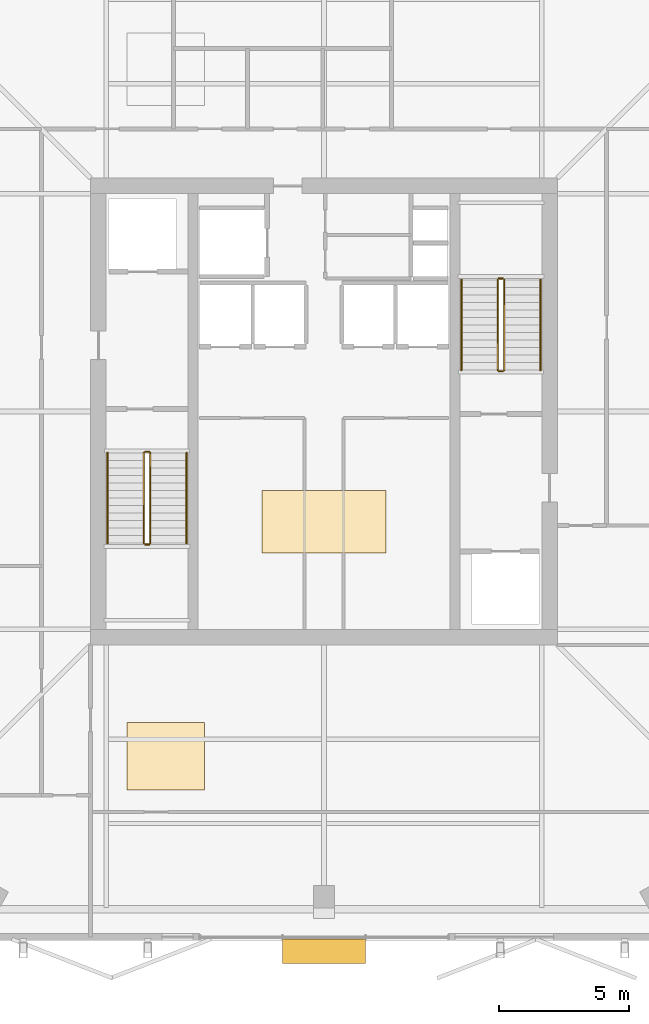
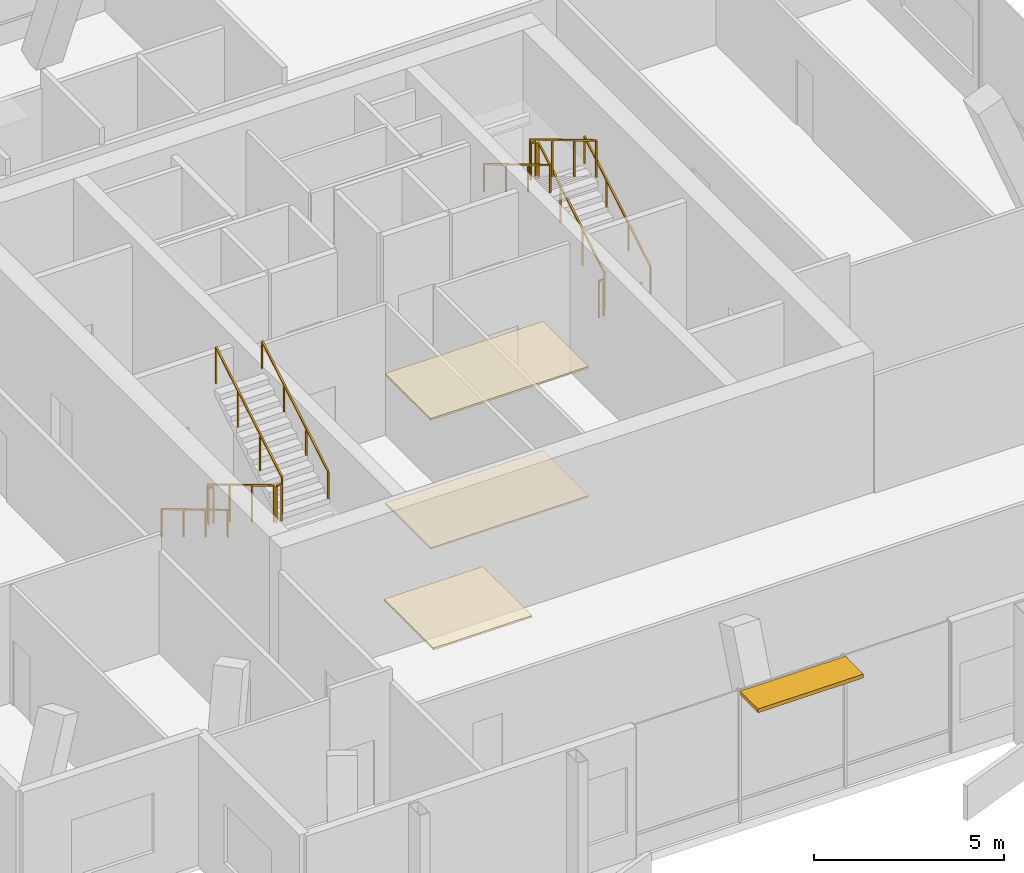
# One storey, part 15 of 16: 12 railings, 3 coverings, 1 shading device.
"""IFC4 building model written with IfcOpenShell, lengths in metres."""

from ifc_helpers import new_model, si_unit, direction, frame, origin, origin_2d, place, context, subcontext, project, spatial, polyline, rectangle, outline, extrude, material, layer, layer_set, type_object, element, save


model = new_model("IFC4")

# Units and contexts
model_context = context("Model", 3, precision=1e-05, world=origin(), true_north=direction((0.0, 1.0)))
body_context = subcontext(model_context, "Body", "Model", "MODEL_VIEW")
ifc_project = project(units=[si_unit("LENGTHUNIT", "METRE"), si_unit("AREAUNIT", "SQUARE_METRE"), si_unit("VOLUMEUNIT", "CUBIC_METRE"), si_unit("PLANEANGLEUNIT", "RADIAN"), si_unit("MASSUNIT", "GRAM", prefix="KILO")], contexts=[model_context])

# Site, building, storey
site_placement = place(None, origin())
site = spatial("IfcSite", under=ifc_project, at=site_placement, CompositionType="ELEMENT")
building_placement = place(site_placement, origin())
building = spatial("IfcBuilding", under=site, at=building_placement, Name="Belovzor Exchange Tower", CompositionType="ELEMENT")
storey_placement = place(building_placement, frame((0.0, 0.0, 364.5)))
storey = spatial("IfcBuildingStorey", under=building, at=storey_placement, Name="L91", CompositionType="ELEMENT", Elevation=364.5)

# Railings
ifc_material_1 = material(Name="Stainless Steel Grade 304", Category="steel")
railing_type_1 = type_object("IfcRailingType", Name="Brushed Stainless Steel Stair Handrail 900", PredefinedType="HANDRAIL", material=ifc_material_1)
railing_1_placement = place(storey_placement, frame((20.449951171875, 27.199951171875, 0.173095703125)))
element("IfcRailing", 1, at=railing_1_placement, inside=storey, type_object=railing_type_1, Name="L91 ST-1 stair handrail 1", PredefinedType="HANDRAIL", context=body_context, shape_type="SweptSolid", body=[
    extrude(rectangle(XDim=0.048095703125, YDim=0.048095703125, at=origin_2d()), frame((0.0, 0.0, 0.8759765625), z_axis=(0.0, -0.858697190188, 0.512483302717), x_axis=(1.0, 0.0, 0.0)), (0.0, 0.0, 1.0), 4.052734375),
    extrude(rectangle(XDim=0.0419921875, YDim=0.0419921875, at=origin_2d()), origin(), (0.0, 0.0, 1.0), 0.851806640625),
    extrude(rectangle(XDim=0.0419921875, YDim=0.0419921875, at=origin_2d()), frame((0.0, -1.159912109375, 0.6923828125)), (0.0, 0.0, 1.0), 0.851806640625),
    extrude(rectangle(XDim=0.0419921875, YDim=0.0419921875, at=origin_2d()), frame((0.0, -2.320068359375, 1.384521484375)), (0.0, 0.0, 1.0), 0.851806640625),
    extrude(rectangle(XDim=0.0419921875, YDim=0.0419921875, at=origin_2d()), frame((0.0, -3.47998046875, 2.076904296875)), (0.0, 0.0, 1.0), 0.851806640625),
])
for number, where, name in (
    (2, (23.5, 23.719970703125, 2.423095703125), "L91 ST-1 stair handrail 2"),
    (3, (37.14990234375, 30.39990234375, 0.173095703125), "L91 ST-2 stair handrail 1"),
):
    element("IfcRailing", number, at=place(storey_placement, frame(where)), inside=storey, type_object=railing_type_1, Name=name, PredefinedType="HANDRAIL", context=body_context, shape_type="SweptSolid", body=[
        extrude(rectangle(XDim=0.048095703125, YDim=0.048095703125, at=origin_2d()), frame((0.0, 0.0, 0.8759765625), z_axis=(0.0, 0.858697190188, 0.512483302717), x_axis=(-1.0, 0.0, 0.0)), (0.0, 0.0, 1.0), 4.052734375),
        extrude(rectangle(XDim=0.0419921875, YDim=0.0419921875, at=origin_2d()), origin(), (0.0, 0.0, 1.0), 0.851806640625),
        extrude(rectangle(XDim=0.0419921875, YDim=0.0419921875, at=origin_2d()), frame((0.0, 1.159912109375, 0.6923828125)), (0.0, 0.0, 1.0), 0.851806640625),
        extrude(rectangle(XDim=0.0419921875, YDim=0.0419921875, at=origin_2d()), frame((0.0, 2.320068359375, 1.384521484375)), (0.0, 0.0, 1.0), 0.851806640625),
        extrude(rectangle(XDim=0.0419921875, YDim=0.0419921875, at=origin_2d()), frame((0.0, 3.47998046875, 2.076904296875)), (0.0, 0.0, 1.0), 0.851806640625),
    ])
railing_2_placement = place(storey_placement, frame((34.10009765625, 33.8798828125, 2.423095703125)))
element("IfcRailing", 4, at=railing_2_placement, inside=storey, type_object=railing_type_1, Name="L91 ST-2 stair handrail 2", PredefinedType="HANDRAIL", context=body_context, shape_type="SweptSolid", body=[
    extrude(rectangle(XDim=0.048095703125, YDim=0.048095703125, at=origin_2d()), frame((0.0, 0.0, 0.8759765625), z_axis=(0.0, -0.858697190188, 0.512483302717), x_axis=(1.0, 0.0, 0.0)), (0.0, 0.0, 1.0), 4.052734375),
    extrude(rectangle(XDim=0.0419921875, YDim=0.0419921875, at=origin_2d()), origin(), (0.0, 0.0, 1.0), 0.851806640625),
    extrude(rectangle(XDim=0.0419921875, YDim=0.0419921875, at=origin_2d()), frame((0.0, -1.159912109375, 0.6923828125)), (0.0, 0.0, 1.0), 0.851806640625),
    extrude(rectangle(XDim=0.0419921875, YDim=0.0419921875, at=origin_2d()), frame((0.0, -2.320068359375, 1.384521484375)), (0.0, 0.0, 1.0), 0.851806640625),
    extrude(rectangle(XDim=0.0419921875, YDim=0.0419921875, at=origin_2d()), frame((0.0, -3.47998046875, 2.076904296875)), (0.0, 0.0, 1.0), 0.851806640625),
])
ifc_material_2 = material(Name="Steel S355", Category="steel")
railing_type_2 = type_object("IfcRailingType", Name="Painted Steel Stairwell Guardrail 1200", PredefinedType="GUARDRAIL", material=ifc_material_2)
railing_3_placement = place(storey_placement, frame((21.85009765625, 27.199951171875, 0.173095703125)))
element("IfcRailing", 5, at=railing_3_placement, inside=storey, type_object=railing_type_2, Name="L91 ST-1 stair guard 1", PredefinedType="GUARDRAIL", context=body_context, shape_type="SweptSolid", body=[
    extrude(rectangle(XDim=0.048095703125, YDim=0.048095703125, at=origin_2d()), frame((0.0, 0.0, 1.17578125), z_axis=(0.0, -0.858697190188, 0.512483302717), x_axis=(1.0, 0.0, 0.0)), (0.0, 0.0, 1.0), 4.052734375),
    extrude(rectangle(XDim=0.0419921875, YDim=0.0419921875, at=origin_2d()), origin(), (0.0, 0.0, 1.0), 1.15185546875),
    extrude(rectangle(XDim=0.0419921875, YDim=0.0419921875, at=origin_2d()), frame((0.0, -1.159912109375, 0.6923828125)), (0.0, 0.0, 1.0), 1.15185546875),
    extrude(rectangle(XDim=0.0419921875, YDim=0.0419921875, at=origin_2d()), frame((0.0, -2.320068359375, 1.384521484375)), (0.0, 0.0, 1.0), 1.15185546875),
    extrude(rectangle(XDim=0.0419921875, YDim=0.0419921875, at=origin_2d()), frame((0.0, -3.47998046875, 2.076904296875)), (0.0, 0.0, 1.0), 1.15185546875),
])
railing_4_placement = place(storey_placement, frame((21.89990234375, 23.669921875, 2.25)))
element("IfcRailing", 6, at=railing_4_placement, inside=storey, type_object=railing_type_2, Name="L91 ST-1 stair guard 2", PredefinedType="GUARDRAIL", context=body_context, shape_type="SweptSolid", body=[
    extrude(rectangle(XDim=0.048095703125, YDim=0.048095703125, at=origin_2d()), frame((0.0, 0.0, 1.17578125), z_axis=(1.0, 0.0, 0.0), x_axis=(0.0, 1.0, 0.0)), (0.0, 0.0, 1.0), 0.150146484375),
    extrude(rectangle(XDim=0.0419921875, YDim=0.0419921875, at=origin_2d()), origin(), (0.0, 0.0, 1.0), 1.15185546875),
    extrude(rectangle(XDim=0.0419921875, YDim=0.0419921875, at=origin_2d()), frame((0.150146484375, 0.0, 0.0)), (0.0, 0.0, 1.0), 1.15185546875),
])
railing_5_placement = place(storey_placement, frame((22.10009765625, 23.719970703125, 2.423095703125)))
element("IfcRailing", 7, at=railing_5_placement, inside=storey, type_object=railing_type_2, Name="L91 ST-1 stair guard 3", PredefinedType="GUARDRAIL", context=body_context, shape_type="SweptSolid", body=[
    extrude(rectangle(XDim=0.048095703125, YDim=0.048095703125, at=origin_2d()), frame((0.0, 0.0, 1.17578125), z_axis=(0.0, 0.858697190188, 0.512483302717), x_axis=(-1.0, 0.0, 0.0)), (0.0, 0.0, 1.0), 4.052734375),
    extrude(rectangle(XDim=0.0419921875, YDim=0.0419921875, at=origin_2d()), origin(), (0.0, 0.0, 1.0), 1.15185546875),
    extrude(rectangle(XDim=0.0419921875, YDim=0.0419921875, at=origin_2d()), frame((0.0, 1.159912109375, 0.6923828125)), (0.0, 0.0, 1.0), 1.15185546875),
    extrude(rectangle(XDim=0.0419921875, YDim=0.0419921875, at=origin_2d()), frame((0.0, 2.320068359375, 1.384521484375)), (0.0, 0.0, 1.0), 1.15185546875),
    extrude(rectangle(XDim=0.0419921875, YDim=0.0419921875, at=origin_2d()), frame((0.0, 3.47998046875, 2.076904296875)), (0.0, 0.0, 1.0), 1.15185546875),
])
railing_6_placement = place(storey_placement, frame((21.89990234375, 27.25, 0.0)))
element("IfcRailing", 8, at=railing_6_placement, inside=storey, type_object=railing_type_2, Name="L91 ST-1 stair guard 4", PredefinedType="GUARDRAIL", context=body_context, shape_type="SweptSolid", body=[
    extrude(rectangle(XDim=0.048095703125, YDim=0.048095703125, at=origin_2d()), frame((0.0, 0.0, 1.17578125), z_axis=(1.0, 0.0, 0.0), x_axis=(0.0, 1.0, 0.0)), (0.0, 0.0, 1.0), 0.150146484375),
    extrude(rectangle(XDim=0.0419921875, YDim=0.0419921875, at=origin_2d()), origin(), (0.0, 0.0, 1.0), 1.15185546875),
    extrude(rectangle(XDim=0.0419921875, YDim=0.0419921875, at=origin_2d()), frame((0.150146484375, 0.0, 0.0)), (0.0, 0.0, 1.0), 1.15185546875),
])
railing_7_placement = place(storey_placement, frame((35.75, 30.39990234375, 0.173095703125)))
element("IfcRailing", 9, at=railing_7_placement, inside=storey, type_object=railing_type_2, Name="L91 ST-2 stair guard 1", PredefinedType="GUARDRAIL", context=body_context, shape_type="SweptSolid", body=[
    extrude(rectangle(XDim=0.048095703125, YDim=0.048095703125, at=origin_2d()), frame((0.0, 0.0, 1.17578125), z_axis=(0.0, 0.858697190188, 0.512483302717), x_axis=(-1.0, 0.0, 0.0)), (0.0, 0.0, 1.0), 4.052734375),
    extrude(rectangle(XDim=0.0419921875, YDim=0.0419921875, at=origin_2d()), origin(), (0.0, 0.0, 1.0), 1.15185546875),
    extrude(rectangle(XDim=0.0419921875, YDim=0.0419921875, at=origin_2d()), frame((0.0, 1.159912109375, 0.6923828125)), (0.0, 0.0, 1.0), 1.15185546875),
    extrude(rectangle(XDim=0.0419921875, YDim=0.0419921875, at=origin_2d()), frame((0.0, 2.320068359375, 1.384521484375)), (0.0, 0.0, 1.0), 1.15185546875),
    extrude(rectangle(XDim=0.0419921875, YDim=0.0419921875, at=origin_2d()), frame((0.0, 3.47998046875, 2.076904296875)), (0.0, 0.0, 1.0), 1.15185546875),
])
railing_8_placement = place(storey_placement, frame((35.699951171875, 33.929931640625, 2.25)))
element("IfcRailing", 10, at=railing_8_placement, inside=storey, type_object=railing_type_2, Name="L91 ST-2 stair guard 2", PredefinedType="GUARDRAIL", context=body_context, shape_type="SweptSolid", body=[
    extrude(rectangle(XDim=0.048095703125, YDim=0.048095703125, at=origin_2d()), frame((0.0, 0.0, 1.17578125), z_axis=(-1.0, 0.0, 0.0), x_axis=(0.0, -1.0, 0.0)), (0.0, 0.0, 1.0), 0.14990234375),
    extrude(rectangle(XDim=0.0419921875, YDim=0.0419921875, at=origin_2d()), origin(), (0.0, 0.0, 1.0), 1.15185546875),
    extrude(rectangle(XDim=0.0419921875, YDim=0.0419921875, at=origin_2d()), frame((-0.14990234375, 0.0, 0.0)), (0.0, 0.0, 1.0), 1.15185546875),
])
railing_9_placement = place(storey_placement, frame((35.5, 33.8798828125, 2.423095703125)))
element("IfcRailing", 11, at=railing_9_placement, inside=storey, type_object=railing_type_2, Name="L91 ST-2 stair guard 3", PredefinedType="GUARDRAIL", context=body_context, shape_type="SweptSolid", body=[
    extrude(rectangle(XDim=0.048095703125, YDim=0.048095703125, at=origin_2d()), frame((0.0, 0.0, 1.17578125), z_axis=(0.0, -0.858697190188, 0.512483302717), x_axis=(1.0, 0.0, 0.0)), (0.0, 0.0, 1.0), 4.052734375),
    extrude(rectangle(XDim=0.0419921875, YDim=0.0419921875, at=origin_2d()), origin(), (0.0, 0.0, 1.0), 1.15185546875),
    extrude(rectangle(XDim=0.0419921875, YDim=0.0419921875, at=origin_2d()), frame((0.0, -1.159912109375, 0.6923828125)), (0.0, 0.0, 1.0), 1.15185546875),
    extrude(rectangle(XDim=0.0419921875, YDim=0.0419921875, at=origin_2d()), frame((0.0, -2.320068359375, 1.384521484375)), (0.0, 0.0, 1.0), 1.15185546875),
    extrude(rectangle(XDim=0.0419921875, YDim=0.0419921875, at=origin_2d()), frame((0.0, -3.47998046875, 2.076904296875)), (0.0, 0.0, 1.0), 1.15185546875),
])
railing_10_placement = place(storey_placement, frame((35.699951171875, 30.35009765625, 0.0)))
element("IfcRailing", 12, at=railing_10_placement, inside=storey, type_object=railing_type_2, Name="L91 ST-2 stair guard 4", PredefinedType="GUARDRAIL", context=body_context, shape_type="SweptSolid", body=[
    extrude(rectangle(XDim=0.048095703125, YDim=0.048095703125, at=origin_2d()), frame((0.0, 0.0, 1.17578125), z_axis=(-1.0, 0.0, 0.0), x_axis=(0.0, -1.0, 0.0)), (0.0, 0.0, 1.0), 0.14990234375),
    extrude(rectangle(XDim=0.0419921875, YDim=0.0419921875, at=origin_2d()), origin(), (0.0, 0.0, 1.0), 1.15185546875),
    extrude(rectangle(XDim=0.0419921875, YDim=0.0419921875, at=origin_2d()), frame((-0.14990234375, 0.0, 0.0)), (0.0, 0.0, 1.0), 1.15185546875),
])

# Coverings
ifc_material_3 = material(Name="Perforated Powder-Coated Aluminium", Category="aluminium")
ifc_layer_1 = layer(ifc_material_3, 0.06005859375)
ifc_layer_set_1 = layer_set([ifc_layer_1], Name="Perforated Powder-Coated Aluminium")
covering_type_1 = type_object("IfcCoveringType", Name="Perforated Acoustic Metal Tile Suspended Ceiling 60", PredefinedType="CEILING", material=ifc_layer_set_1)
covering_1_placement = place(storey_placement, frame((0.0, 0.0, 4.139892578125)))
element("IfcCovering", 13, at=covering_1_placement, inside=storey, type_object=covering_type_1, Name="CLG-AC60 Suspended Ceiling CLG-L91-LOB", PredefinedType="CEILING", context=body_context, shape_type="SweptSolid", body=[
    extrude(outline(polyline([(26.39990234375, 23.35009765625), (31.199951171875, 23.35009765625), (31.199951171875, 25.75), (26.39990234375, 25.75), (26.39990234375, 23.35009765625)])), origin(), (0.0, 0.0, 1.0), 0.06005859375),
])
covering_2_placement = place(storey_placement, frame((0.0, 0.0, 4.139892578125)))
element("IfcCovering", 14, at=covering_2_placement, inside=storey, type_object=covering_type_1, Name="CLG-AC60 Suspended Ceiling CLG-L91-Z0", PredefinedType="CEILING", context=body_context, shape_type="SweptSolid", body=[
    extrude(outline(polyline([(21.199951171875, 14.199951171875), (24.199951171875, 14.199951171875), (24.199951171875, 16.800048828125), (21.199951171875, 16.800048828125), (21.199951171875, 14.199951171875)])), origin(), (0.0, 0.0, 1.0), 0.06005859375),
])
ifc_material_4 = material(Name="Polished Natural Granite Tile", Category="masonry")
ifc_layer_2 = layer(ifc_material_4, 0.050048828125)
ifc_layer_set_2 = layer_set([ifc_layer_2], Name="Polished Natural Granite Tile")
covering_type_2 = type_object("IfcCoveringType", Name="Polished Karelian Granite & Raised Access Floor Finish 50", PredefinedType="FLOORING", material=ifc_layer_set_2)
covering_3_placement = place(storey_placement, origin())
element("IfcCovering", 15, at=covering_3_placement, inside=storey, type_object=covering_type_2, Name="FLR-GR50 Floor Finish FLR-L91-LOB", PredefinedType="FLOORING", context=body_context, shape_type="SweptSolid", body=[
    extrude(outline(polyline([(26.39990234375, 23.35009765625), (31.199951171875, 23.35009765625), (31.199951171875, 25.75), (26.39990234375, 25.75), (26.39990234375, 23.35009765625)])), origin(), (0.0, 0.0, 1.0), 0.050048828125),
])

# Shading device
ifc_material_5 = material(Name="Extruded Architectural Terracotta", Category="masonry")
ifc_layer_3 = layer(ifc_material_5, 0.1201171875)
ifc_layer_set_3 = layer_set([ifc_layer_3], Name="Extruded Architectural Terracotta")
shading_device_type = type_object("IfcShadingDeviceType", Name="Streamline Terracotta Horizontal Sunshade Hood 950", PredefinedType="AWNING", material=ifc_layer_set_3)
shading_device_placement = place(storey_placement, frame((28.800048828125, 7.985107421875, 4.079833984375), z_axis=(0.0, 0.0, 1.0), x_axis=(1.0, 0.0, 0.0)))
element("IfcShadingDevice", 16, at=shading_device_placement, inside=storey, type_object=shading_device_type, Name="SHD-TC095 Terracotta Sunshade L91 S", PredefinedType="AWNING", context=body_context, shape_type="SweptSolid", body=[
    extrude(rectangle(XDim=3.199951171875, YDim=0.949951171875, at=origin_2d()), origin(), (0.0, 0.0, 1.0), 0.1201171875),
])

save(model, "model.ifc")
